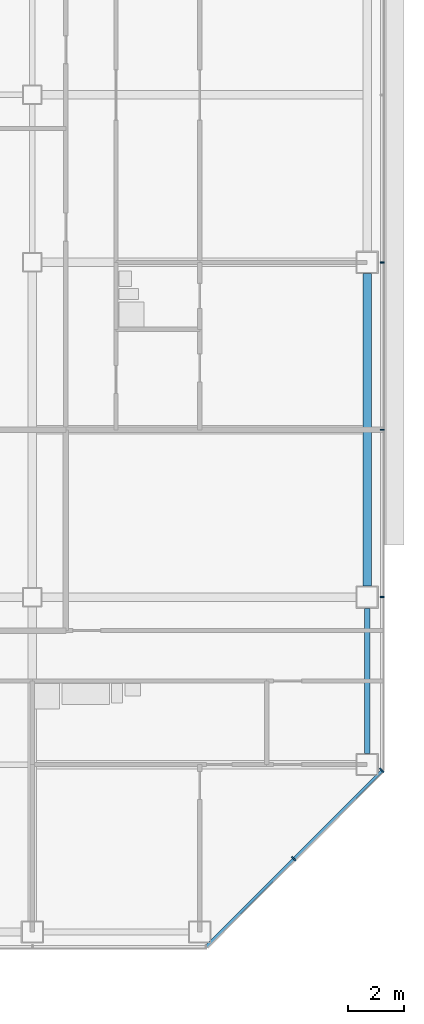
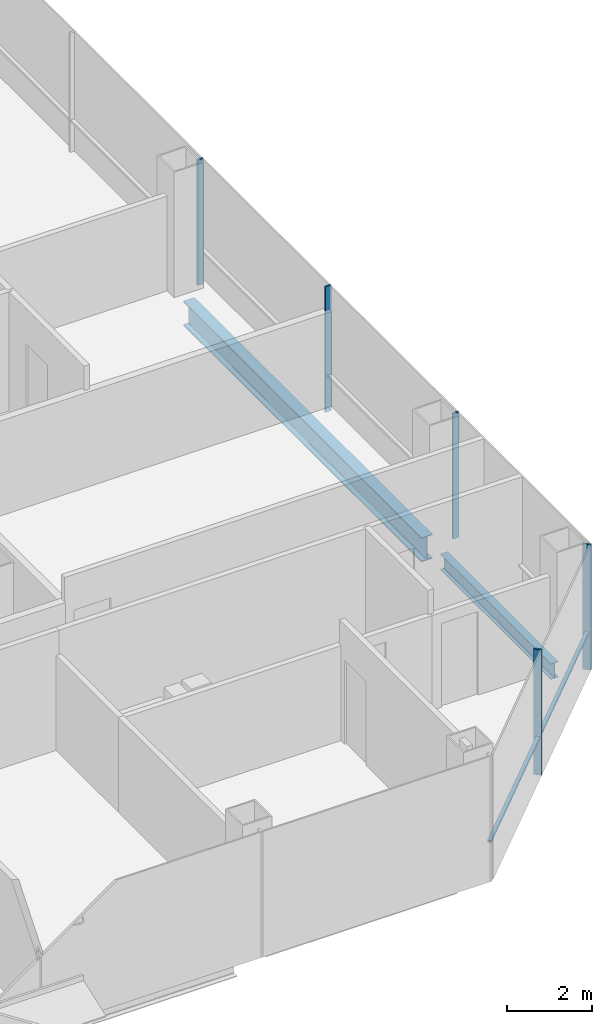
# One storey, part 15 of 25: 6 members, 2 beams, 2 elements without a shape of their own.
"""IFC4 building model written with IfcOpenShell, lengths in metres."""

from ifc_helpers import new_model, si_unit, direction, frame, origin, origin_2d, place, context, subcontext, project, spatial, rectangle, i_section, extrude, material, material_profile, profile_set, type_object, element, aggregate, save


model = new_model("IFC4")

# Units and contexts
model_context = context("Model", 3, precision=1e-05, world=origin(), true_north=direction((0.0, 1.0)))
body_context = subcontext(model_context, "Body", "Model", "MODEL_VIEW")
ifc_project = project(units=[si_unit("LENGTHUNIT", "METRE"), si_unit("AREAUNIT", "SQUARE_METRE"), si_unit("VOLUMEUNIT", "CUBIC_METRE"), si_unit("PLANEANGLEUNIT", "RADIAN"), si_unit("MASSUNIT", "GRAM", prefix="KILO")], contexts=[model_context])

# Site, building, storey
site_placement = place(None, origin())
site = spatial("IfcSite", under=ifc_project, at=site_placement, CompositionType="ELEMENT")
building_placement = place(site_placement, origin())
building = spatial("IfcBuilding", under=site, at=building_placement, Name="Sorahane Residences", CompositionType="ELEMENT")
storey_placement = place(building_placement, frame((0.0, 0.0, 130.39990234375)))
storey = spatial("IfcBuildingStorey", under=building, at=storey_placement, Name="L29", CompositionType="ELEMENT", Elevation=130.39990234375)

# Curtain wall, members
ifc_material_1 = material(Name="Dark low-e glass and black anodised aluminium", Category="aluminium")
curtain_wall_type_1 = type_object("IfcCurtainWallType", Name="Curtain wall CW-1 Typical unitised wall", PredefinedType="NOTDEFINED", material=ifc_material_1)
curtain_wall_1_placement = place(storey_placement, origin())
curtain_wall_1 = element("IfcCurtainWall", 1, at=curtain_wall_1_placement, inside=storey, type_object=curtain_wall_type_1, Name="CW-1 curtain wall L29 E1", PredefinedType="NOTDEFINED")
ifc_material_2 = material(Name="Black anodised aluminium", Category="aluminium")
ifc_material_profile_1 = material_profile(ifc_material_2, rectangle(XDim=0.159912109375, YDim=0.050048828125, at=origin_2d()), Name="Curtain wall mullion CW-1 black anodised aluminium 50x160")
ifc_profile_set_1 = profile_set([ifc_material_profile_1], Name="Black anodised aluminium")
member_type_1 = type_object("IfcMemberType", Name="Curtain wall mullion CW-1 black anodised aluminium 50x160", PredefinedType="MULLION", material=ifc_profile_set_1)
member_1_placement = place(storey_placement, frame((60.5400390625, 12.0, -0.179931640625), z_axis=(0.0, 0.0, 1.0), x_axis=(1.0, 0.0, 0.0)))
member_1 = element("IfcMember", 2, at=member_1_placement, type_object=member_type_1, Name="CW-1 mullion L29 E1.2", PredefinedType="MULLION", context=body_context, shape_type="SweptSolid", body=[
    extrude(rectangle(XDim=0.159912109375, YDim=0.050048828125, at=origin_2d()), origin(), (0.0, 0.0, 1.0), 3.60009765625),
])
member_2_placement = place(storey_placement, frame((60.5400390625, 18.0, -0.179931640625), z_axis=(0.0, 0.0, 1.0), x_axis=(1.0, 0.0, 0.0)))
member_2 = element("IfcMember", 3, at=member_2_placement, type_object=member_type_1, Name="CW-1 mullion L29 E1.3", PredefinedType="MULLION", context=body_context, shape_type="SweptSolid", body=[
    extrude(rectangle(XDim=0.159912109375, YDim=0.050048828125, at=origin_2d()), origin(), (0.0, 0.0, 1.0), 3.60009765625),
])
member_3_placement = place(storey_placement, frame((60.5400390625, 24.0, -0.179931640625), z_axis=(0.0, 0.0, 1.0), x_axis=(1.0, 0.0, 0.0)))
member_3 = element("IfcMember", 4, at=member_3_placement, type_object=member_type_1, Name="CW-1 mullion L29 E1.4", PredefinedType="MULLION", context=body_context, shape_type="SweptSolid", body=[
    extrude(rectangle(XDim=0.159912109375, YDim=0.050048828125, at=origin_2d()), origin(), (0.0, 0.0, 1.0), 3.60009765625),
])
aggregate(curtain_wall_1, [member_1, member_2, member_3])

ifc_material_3 = material(Name="Dark low-e glass and black anodised aluminium", Category="aluminium")
curtain_wall_type_2 = type_object("IfcCurtainWallType", Name="Curtain wall CW-2 Chamfer unitised wall", PredefinedType="NOTDEFINED", material=ifc_material_3)
curtain_wall_2_placement = place(storey_placement, origin())
curtain_wall_2 = element("IfcCurtainWall", 5, at=curtain_wall_2_placement, inside=storey, type_object=curtain_wall_type_2, Name="CW-2 curtain wall L29 SE1", PredefinedType="NOTDEFINED")
ifc_material_4 = material(Name="Black anodised aluminium", Category="aluminium")
ifc_material_profile_2 = material_profile(ifc_material_4, rectangle(XDim=0.199951171875, YDim=0.050048828125, at=origin_2d()), Name="Curtain wall mullion CW-2 black anodised aluminium 50x200")
ifc_profile_set_2 = profile_set([ifc_material_profile_2], Name="Black anodised aluminium")
member_type_2 = type_object("IfcMemberType", Name="Curtain wall mullion CW-2 black anodised aluminium 50x200", PredefinedType="MULLION", material=ifc_profile_set_2)
member_4_placement = place(storey_placement, frame((57.36767578125, 2.63232421875, -0.179931640625), z_axis=(0.0, 0.0, 1.0), x_axis=(0.707106781187, -0.707106781187, 0.0)))
member_4 = element("IfcMember", 6, at=member_4_placement, type_object=member_type_2, Name="CW-2 mullion L29 SE1.2", PredefinedType="MULLION", context=body_context, shape_type="SweptSolid", body=[
    extrude(rectangle(XDim=0.199951171875, YDim=0.050048828125, at=origin_2d()), origin(), (0.0, 0.0, 1.0), 3.60009765625),
])
member_5_placement = place(storey_placement, frame((60.525634765625, 5.790283203125, -0.179931640625), z_axis=(0.0, 0.0, 1.0), x_axis=(0.707106781187, -0.707106781187, 0.0)))
member_5 = element("IfcMember", 7, at=member_5_placement, type_object=member_type_2, Name="CW-2 mullion L29 SE1.3", PredefinedType="MULLION", context=body_context, shape_type="SweptSolid", body=[
    extrude(rectangle(XDim=0.199951171875, YDim=0.050048828125, at=origin_2d()), origin(), (0.0, 0.0, 1.0), 3.60009765625),
])
ifc_material_5 = material(Name="Black anodised aluminium", Category="aluminium")
ifc_material_profile_3 = material_profile(ifc_material_5, rectangle(XDim=0.10009765625, YDim=0.06005859375, at=origin_2d()), Name="Curtain wall transom CW-2 black anodised aluminium 60x100")
ifc_profile_set_3 = profile_set([ifc_material_profile_3], Name="Black anodised aluminium")
member_type_3 = type_object("IfcMemberType", Name="Curtain wall transom CW-2 black anodised aluminium 60x100", PredefinedType="USERDEFINED", material=ifc_profile_set_3)
member_6_placement = place(storey_placement, frame((54.234375, -0.51513671875, 0.900146484375), z_axis=(0.707106781187, 0.707106781187, 0.0), x_axis=(-0.707106781187, 0.707106781187, 0.0)))
member_6 = element("IfcMember", 8, at=member_6_placement, type_object=member_type_3, Name="CW-2 transom L29 SE1", ObjectType="TRANSOM", PredefinedType="USERDEFINED", context=body_context, shape_type="SweptSolid", body=[
    extrude(rectangle(XDim=0.10009765625, YDim=0.06005859375, at=origin_2d()), origin(), (0.0, 0.0, 1.0), 8.88232421875),
])
aggregate(curtain_wall_2, [member_4, member_5, member_6])

# Beams
ifc_material_6 = material(Name="Steel Q355B", Category="steel")
ifc_material_profile_4 = material_profile(ifc_material_6, i_section(OverallWidth=0.199951171875, OverallDepth=0.449951171875, WebThickness=0.009033203125, FlangeThickness=0.013916015625, FilletRadius=0.02001953125, at=origin_2d()), Name="HN 450x200x9x14")
ifc_profile_set_4 = profile_set([ifc_material_profile_4], Name="Steel Q355B")
beam_type_1 = type_object("IfcBeamType", Name="Steel floor beam HN 450x200x9x14 Q355B", PredefinedType="BEAM", material=ifc_profile_set_4)
beam_1_placement = place(storey_placement, frame((60.0, 6.39990234375, -0.40478515625), z_axis=(0.0, 1.0, 0.0), x_axis=(-1.0, 0.0, 0.0)))
element("IfcBeam", 9, at=beam_1_placement, inside=storey, type_object=beam_type_1, Name="Beam L29 064", PredefinedType="BEAM", context=body_context, shape_type="SweptSolid", body=[
    extrude(i_section(OverallWidth=0.199951171875, OverallDepth=0.449951171875, WebThickness=0.009033203125, FlangeThickness=0.013916015625, FilletRadius=0.02001953125, at=origin_2d()), origin(), (0.0, 0.0, 1.0), 5.2001953125),
])
ifc_material_7 = material(Name="Steel Q355B", Category="steel")
ifc_material_profile_5 = material_profile(ifc_material_7, i_section(OverallWidth=0.300048828125, OverallDepth=0.699951171875, WebThickness=0.012939453125, FlangeThickness=0.02392578125, FilletRadius=0.028076171875, at=origin_2d()), Name="HN 700x300x13x24")
ifc_profile_set_5 = profile_set([ifc_material_profile_5], Name="Steel Q355B")
beam_type_2 = type_object("IfcBeamType", Name="Steel floor beam HN 700x300x13x24 Q355B", PredefinedType="BEAM", material=ifc_profile_set_5)
beam_2_placement = place(storey_placement, frame((60.0, 12.39990234375, -0.52978515625), z_axis=(0.0, 1.0, 0.0), x_axis=(-1.0, 0.0, 0.0)))
element("IfcBeam", 10, at=beam_2_placement, inside=storey, type_object=beam_type_2, Name="Beam L29 065", PredefinedType="BEAM", context=body_context, shape_type="SweptSolid", body=[
    extrude(i_section(OverallWidth=0.300048828125, OverallDepth=0.699951171875, WebThickness=0.012939453125, FlangeThickness=0.02392578125, FilletRadius=0.028076171875, at=origin_2d()), origin(), (0.0, 0.0, 1.0), 11.2001953125),
])

save(model, "model.ifc")
